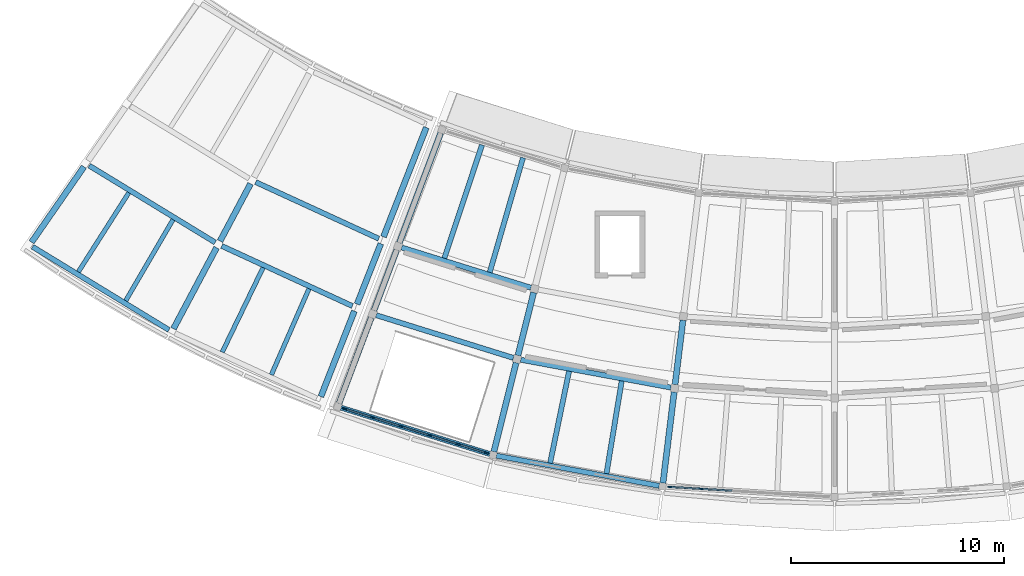
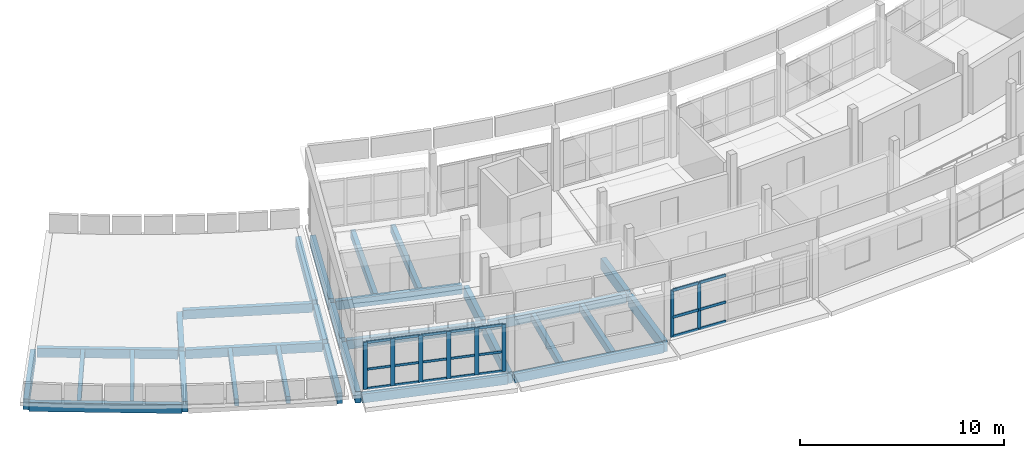
# One storey, part 2 of 12: 30 beams, 29 members, 2 elements without a shape of their own.
"""IFC4 building model written with IfcOpenShell, lengths in metres."""

from ifc_helpers import new_model, si_unit, direction, frame, origin, origin_2d, place, context, subcontext, project, spatial, rectangle, extrude, material, layer, layer_set, material_profile, profile_set, type_object, element, aggregate, save


model = new_model("IFC4")

# Units and contexts
model_context = context("Model", 3, precision=1e-05, world=origin(), true_north=direction((0.0, 1.0)))
body_context = subcontext(model_context, "Body", "Model", "MODEL_VIEW")
ifc_project = project(units=[si_unit("LENGTHUNIT", "METRE"), si_unit("AREAUNIT", "SQUARE_METRE"), si_unit("VOLUMEUNIT", "CUBIC_METRE"), si_unit("PLANEANGLEUNIT", "RADIAN"), si_unit("MASSUNIT", "GRAM", prefix="KILO")], contexts=[model_context])

# Site, building, storey
site_placement = place(None, origin())
site = spatial("IfcSite", under=ifc_project, at=site_placement, CompositionType="ELEMENT")
building_placement = place(site_placement, origin())
building = spatial("IfcBuilding", under=site, at=building_placement, Name="Caldaven Crescent School", CompositionType="ELEMENT")
storey_placement = place(building_placement, frame((0.0, 0.0, 19.3798828125)))
storey = spatial("IfcBuildingStorey", under=building, at=storey_placement, Name="L05", CompositionType="ELEMENT", Elevation=19.3798828125)

# Beams
ifc_material_1 = material(Name="Glulam MLE24h (GL28h)", Category="wood")
ifc_material_profile_1 = material_profile(ifc_material_1, rectangle(XDim=0.239990234375, YDim=0.5400390625, at=origin_2d()), Name="MLE 240x540")
ifc_profile_set_1 = profile_set([ifc_material_profile_1], Name="Glulam MLE24h (GL28h)")
beam_type_1 = type_object("IfcBeamType", Name="BM-GL54", PredefinedType="BEAM", material=ifc_profile_set_1)
beam_1_placement = place(storey_placement, frame((52.96728515625, 45.22265625, -0.47998046875), z_axis=(0.853702983474, -0.520760228903, 0.0), x_axis=(0.520760228903, 0.853702983474, 0.0)))
element("IfcBeam", 1, at=beam_1_placement, inside=storey, type_object=beam_type_1, Name="BMT-V4W-L05-1669", PredefinedType="BEAM", context=body_context, shape_type="SweptSolid", body=[
    extrude(rectangle(XDim=0.239990234375, YDim=0.5400390625, at=origin_2d()), origin(), (0.0, 0.0, 1.0), 6.930908203125),
])
beam_2_placement = place(storey_placement, frame((60.788818359375, 44.450927734375, -0.47998046875), z_axis=(0.908536446659, -0.417805606822, 0.0), x_axis=(0.417805606822, 0.908536446659, 0.0)))
element("IfcBeam", 2, at=beam_2_placement, inside=storey, type_object=beam_type_1, Name="BMT-V4W-L05-1676", PredefinedType="BEAM", context=body_context, shape_type="SweptSolid", body=[
    extrude(rectangle(XDim=0.239990234375, YDim=0.5400390625, at=origin_2d()), origin(), (0.0, 0.0, 1.0), 6.36767578125),
])
beam_3_placement = place(storey_placement, frame((59.192626953125, 41.448974609375, -0.47998046875), z_axis=(0.908529393476, -0.417820943935, 0.0), x_axis=(0.417820943935, 0.908529393476, 0.0)))
element("IfcBeam", 3, at=beam_3_placement, inside=storey, type_object=beam_type_1, Name="BMT-V4W-L05-1677", PredefinedType="BEAM", context=body_context, shape_type="SweptSolid", body=[
    extrude(rectangle(XDim=0.239990234375, YDim=0.5400390625, at=origin_2d()), origin(), (0.0, 0.0, 1.0), 6.759521484375),
])
beam_4_placement = place(storey_placement, frame((67.6494140625, 41.377685546875, -0.47998046875), z_axis=(0.954747711713, -0.297416890878, 0.0), x_axis=(0.297416890878, 0.954747711713, 0.0)))
element("IfcBeam", 4, at=beam_4_placement, inside=storey, type_object=beam_type_1, Name="BMT-V5-L05-1703", PredefinedType="BEAM", context=body_context, shape_type="SweptSolid", body=[
    extrude(rectangle(XDim=0.239990234375, YDim=0.5400390625, at=origin_2d()), origin(), (0.0, 0.0, 1.0), 6.367431640625),
])
beam_5_placement = place(storey_placement, frame((66.452880859375, 38.195068359375, -0.47998046875), z_axis=(0.954750161187, -0.297409027625, 0.0), x_axis=(0.297409027625, 0.954750161187, 0.0)))
element("IfcBeam", 5, at=beam_5_placement, inside=storey, type_object=beam_type_1, Name="BMT-V5-L05-1704", PredefinedType="BEAM", context=body_context, shape_type="SweptSolid", body=[
    extrude(rectangle(XDim=0.239990234375, YDim=0.5400390625, at=origin_2d()), origin(), (0.0, 0.0, 1.0), 6.75927734375),
])
beam_6_placement = place(storey_placement, frame((73.24560546875, 36.100830078125, -0.47998046875), z_axis=(0.983254046245, -0.182240172692, 0.0), x_axis=(0.182240172692, 0.983254046245, 0.0)))
element("IfcBeam", 6, at=beam_6_placement, inside=storey, type_object=beam_type_1, Name="BMT-V5-L05-1710", PredefinedType="BEAM", context=body_context, shape_type="SweptSolid", body=[
    extrude(rectangle(XDim=0.239990234375, YDim=0.5400390625, at=origin_2d()), origin(), (0.0, 0.0, 1.0), 7.183349609375),
])
ifc_material_profile_2 = material_profile(ifc_material_1, rectangle(XDim=0.280029296875, YDim=0.6298828125, at=origin_2d()), Name="MLE 280x630")
ifc_profile_set_2 = profile_set([ifc_material_profile_2], Name="Glulam MLE24h (GL28h)")
beam_type_2 = type_object("IfcBeamType", Name="BM-GL63", PredefinedType="BEAM", material=ifc_profile_set_2)
beam_7_placement = place(storey_placement, frame((52.718017578125, 45.169921875, -0.52490234375), z_axis=(-0.570218720639, -0.821492915753, 0.0), x_axis=(0.821492915753, -0.570218720639, 0.0)))
element("IfcBeam", 7, at=beam_7_placement, inside=storey, type_object=beam_type_2, Name="BMR-V4W-L05-1660", PredefinedType="BEAM", context=body_context, shape_type="SweptSolid", body=[
    extrude(rectangle(XDim=0.280029296875, YDim=0.6298828125, at=origin_2d()), origin(), (0.0, 0.0, 1.0), 4.31494140625),
])
beam_8_placement = place(storey_placement, frame((60.547607421875, 44.36962890625, -0.52490234375), z_axis=(-0.469486850199, -0.882939464227, 0.0), x_axis=(0.882939464227, -0.469486850199, 0.0)))
element("IfcBeam", 8, at=beam_8_placement, inside=storey, type_object=beam_type_2, Name="BMR-V4W-L05-1662", PredefinedType="BEAM", context=body_context, shape_type="SweptSolid", body=[
    extrude(rectangle(XDim=0.280029296875, YDim=0.6298828125, at=origin_2d()), origin(), (0.0, 0.0, 1.0), 3.0498046875),
])
beam_9_placement = place(storey_placement, frame((58.951416015625, 41.36767578125, -0.52490234375), z_axis=(-0.469433744078, -0.882967700384, 0.0), x_axis=(0.882967700384, -0.469433744078, 0.0)))
element("IfcBeam", 9, at=beam_9_placement, inside=storey, type_object=beam_type_2, Name="BMR-V4W-L05-1663", PredefinedType="BEAM", context=body_context, shape_type="SweptSolid", body=[
    extrude(rectangle(XDim=0.280029296875, YDim=0.6298828125, at=origin_2d()), origin(), (0.0, 0.0, 1.0), 4.31494140625),
])
beam_10_placement = place(storey_placement, frame((68.80859375, 47.015380859375, -0.52490234375), z_axis=(-0.364809913992, -0.931082019294, 0.0), x_axis=(0.931082019294, -0.364809913992, 0.0)))
element("IfcBeam", 10, at=beam_10_placement, inside=storey, type_object=beam_type_2, Name="BMR-V4W-L05-1664", PredefinedType="BEAM", context=body_context, shape_type="SweptSolid", body=[
    extrude(rectangle(XDim=0.280029296875, YDim=0.6298828125, at=origin_2d()), origin(), (0.0, 0.0, 1.0), 5.51513671875),
])
beam_11_placement = place(storey_placement, frame((66.6689453125, 41.554443359375, -0.52490234375), z_axis=(-0.364770550299, -0.931097441536, 0.0), x_axis=(0.931097441536, -0.364770550299, 0.0)))
element("IfcBeam", 11, at=beam_11_placement, inside=storey, type_object=beam_type_2, Name="BMR-V4W-L05-1665", PredefinedType="BEAM", context=body_context, shape_type="SweptSolid", body=[
    extrude(rectangle(XDim=0.280029296875, YDim=0.6298828125, at=origin_2d()), origin(), (0.0, 0.0, 1.0), 3.050048828125),
])
beam_12_placement = place(storey_placement, frame((65.4287109375, 38.388671875, -0.52490234375), z_axis=(-0.364776926423, -0.931094943574, 0.0), x_axis=(0.931094943574, -0.364776926423, 0.0)))
element("IfcBeam", 12, at=beam_12_placement, inside=storey, type_object=beam_type_2, Name="BMR-V4W-L05-1666", PredefinedType="BEAM", context=body_context, shape_type="SweptSolid", body=[
    extrude(rectangle(XDim=0.280029296875, YDim=0.6298828125, at=origin_2d()), origin(), (0.0, 0.0, 1.0), 4.31494140625),
])
ifc_material_profile_3 = material_profile(ifc_material_1, rectangle(XDim=0.280029296875, YDim=0.68994140625, at=origin_2d()), Name="MLE 280x690")
ifc_profile_set_3 = profile_set([ifc_material_profile_3], Name="Glulam MLE24h (GL28h)")
beam_type_3 = type_object("IfcBeamType", Name="BM-GL69", PredefinedType="BEAM", material=ifc_profile_set_3)
beam_13_placement = place(storey_placement, frame((69.48486328125, 46.755615234375, -0.554931640625), z_axis=(-0.351938342826, -0.936023184995, 0.0), x_axis=(0.936023184995, -0.351938342826, 0.0)))
element("IfcBeam", 13, at=beam_13_placement, inside=storey, type_object=beam_type_3, Name="BMR-V5-L05-1681", PredefinedType="BEAM", context=body_context, shape_type="SweptSolid", body=[
    extrude(rectangle(XDim=0.280029296875, YDim=0.68994140625, at=origin_2d()), origin(), (0.0, 0.0, 1.0), 5.514892578125),
])
beam_14_placement = place(storey_placement, frame((67.4208984375, 41.265869140625, -0.554931640625), z_axis=(-0.351974225459, -0.936009692585, 0.0), x_axis=(0.936009692585, -0.351974225459, 0.0)))
element("IfcBeam", 14, at=beam_14_placement, inside=storey, type_object=beam_type_3, Name="BMR-V5-L05-1682", PredefinedType="BEAM", context=body_context, shape_type="SweptSolid", body=[
    extrude(rectangle(XDim=0.280029296875, YDim=0.68994140625, at=origin_2d()), origin(), (0.0, 0.0, 1.0), 3.0498046875),
])
beam_15_placement = place(storey_placement, frame((66.22412109375, 38.08349609375, -0.554931640625), z_axis=(-0.351916961601, -0.936031223912, 0.0), x_axis=(0.936031223912, -0.351916961601, 0.0)))
element("IfcBeam", 15, at=beam_15_placement, inside=storey, type_object=beam_type_3, Name="BMR-V5-L05-1683", PredefinedType="BEAM", context=body_context, shape_type="SweptSolid", body=[
    extrude(rectangle(XDim=0.280029296875, YDim=0.68994140625, at=origin_2d()), origin(), (0.0, 0.0, 1.0), 4.315185546875),
])
beam_16_placement = place(storey_placement, frame((73.853515625, 39.261962890625, -0.554931640625), z_axis=(-0.241895214255, -0.970302378293, 0.0), x_axis=(0.970302378293, -0.241895214255, 0.0)))
element("IfcBeam", 16, at=beam_16_placement, inside=storey, type_object=beam_type_3, Name="BMR-V5-L05-1685", PredefinedType="BEAM", context=body_context, shape_type="SweptSolid", body=[
    extrude(rectangle(XDim=0.280029296875, YDim=0.68994140625, at=origin_2d()), origin(), (0.0, 0.0, 1.0), 3.050048828125),
])
beam_17_placement = place(storey_placement, frame((73.031005859375, 35.962890625, -0.554931640625), z_axis=(-0.241883226039, -0.970305366862, 0.0), x_axis=(0.970305366862, -0.241883226039, 0.0)))
element("IfcBeam", 17, at=beam_17_placement, inside=storey, type_object=beam_type_3, Name="BMR-V5-L05-1686", PredefinedType="BEAM", context=body_context, shape_type="SweptSolid", body=[
    extrude(rectangle(XDim=0.280029296875, YDim=0.68994140625, at=origin_2d()), origin(), (0.0, 0.0, 1.0), 4.31494140625),
])
beam_18_placement = place(storey_placement, frame((80.873779296875, 37.9609375, -0.554931640625), z_axis=(-0.121906519032, -0.992541586342, 0.0), x_axis=(0.992541586342, -0.121906519032, 0.0)))
element("IfcBeam", 18, at=beam_18_placement, inside=storey, type_object=beam_type_3, Name="BMR-V5-L05-1688", PredefinedType="BEAM", context=body_context, shape_type="SweptSolid", body=[
    extrude(rectangle(XDim=0.280029296875, YDim=0.68994140625, at=origin_2d()), origin(), (0.0, 0.0, 1.0), 3.050048828125),
])
beam_19_placement = place(storey_placement, frame((80.459228515625, 34.586181640625, -0.554931640625), z_axis=(-0.121875655073, -0.992545376646, 0.0), x_axis=(0.992545376646, -0.121875655073, 0.0)))
element("IfcBeam", 19, at=beam_19_placement, inside=storey, type_object=beam_type_3, Name="BMR-V5-L05-1689", PredefinedType="BEAM", context=body_context, shape_type="SweptSolid", body=[
    extrude(rectangle(XDim=0.280029296875, YDim=0.68994140625, at=origin_2d()), origin(), (0.0, 0.0, 1.0), 4.31494140625),
])

# Curtain wall, members
ifc_material_2 = material(Name="Anodised aluminium AA 6063-T6 and low-E double glazing", Category="aluminium")
ifc_layer_1 = layer(ifc_material_2, 0.2099609375)
ifc_layer_set_1 = layer_set([ifc_layer_1], Name="Anodised aluminium AA 6063-T6 and low-E double glazing")
curtain_wall_type_1 = type_object("IfcCurtainWallType", Name="CW-SYS3", PredefinedType="NOTDEFINED", material=ifc_layer_set_1)
curtain_wall_1_placement = place(storey_placement, origin())
curtain_wall_1 = element("IfcCurtainWall", 20, at=curtain_wall_1_placement, inside=storey, type_object=curtain_wall_type_1, Name="CW-L05-183", PredefinedType="NOTDEFINED")
ifc_material_3 = material(Name="Anodised aluminium AA 6063-T6", Category="aluminium")
ifc_material_profile_4 = material_profile(ifc_material_3, rectangle(XDim=0.06494140625, YDim=0.179931640625, at=origin_2d()), Name="CWM 65x180")
ifc_profile_set_4 = profile_set([ifc_material_profile_4], Name="Anodised aluminium AA 6063-T6")
member_type_1 = type_object("IfcMemberType", Name="CWM-T2", PredefinedType="MULLION", material=ifc_profile_set_4)
member_1_placement = place(storey_placement, frame((80.245849609375, 30.124267578125, 0.0), z_axis=(0.0, 0.0, 1.0), x_axis=(0.061049374755, 0.998134747337, 0.0)))
member_1 = element("IfcMember", 21, at=member_1_placement, type_object=member_type_1, Name="CW3 mullion 1", PredefinedType="MULLION", context=body_context, shape_type="SweptSolid", body=[
    extrude(rectangle(XDim=0.06494140625, YDim=0.179931640625, at=origin_2d()), origin(), (0.0, 0.0, 1.0), 2.820068359375),
])
member_2_placement = place(storey_placement, frame((81.7109375, 30.03466796875, 0.0), z_axis=(0.0, 0.0, 1.0), x_axis=(0.061049374755, 0.998134747337, 0.0)))
member_2 = element("IfcMember", 22, at=member_2_placement, type_object=member_type_1, Name="CW3 mullion 2", PredefinedType="MULLION", context=body_context, shape_type="SweptSolid", body=[
    extrude(rectangle(XDim=0.06494140625, YDim=0.179931640625, at=origin_2d()), origin(), (0.0, 0.0, 1.0), 2.820068359375),
])

ifc_layer_2 = layer(ifc_material_2, 0.169921875)
ifc_layer_set_2 = layer_set([ifc_layer_2], Name="Anodised aluminium AA 6063-T6 and low-E double glazing")
curtain_wall_type_2 = type_object("IfcCurtainWallType", Name="CW-SYS1", PredefinedType="NOTDEFINED", material=ifc_layer_set_2)
curtain_wall_2_placement = place(storey_placement, origin())
curtain_wall_2 = element("IfcCurtainWall", 23, at=curtain_wall_2_placement, inside=storey, type_object=curtain_wall_type_2, Name="CW-L05-180", PredefinedType="NOTDEFINED")
ifc_material_profile_5 = material_profile(ifc_material_3, rectangle(XDim=0.070068359375, YDim=0.2099609375, at=origin_2d()), Name="CWM 70x210")
ifc_profile_set_5 = profile_set([ifc_material_profile_5], Name="Anodised aluminium AA 6063-T6")
member_type_2 = type_object("IfcMemberType", Name="CWM-T3", PredefinedType="MULLION", material=ifc_profile_set_5)
member_3_placement = place(storey_placement, frame((64.96923828125, 33.795166015625, 0.0), z_axis=(0.0, 0.0, 1.0), x_axis=(0.29741937885, 0.954746936672, 0.0)))
member_3 = element("IfcMember", 24, at=member_3_placement, type_object=member_type_2, Name="CW1 mullion 1", PredefinedType="MULLION", context=body_context, shape_type="SweptSolid", body=[
    extrude(rectangle(XDim=0.070068359375, YDim=0.2099609375, at=origin_2d()), origin(), (0.0, 0.0, 1.0), 2.820068359375),
])
member_4_placement = place(storey_placement, frame((66.281005859375, 33.386474609375, 0.0), z_axis=(0.0, 0.0, 1.0), x_axis=(0.29741937885, 0.954746936672, 0.0)))
member_4 = element("IfcMember", 25, at=member_4_placement, type_object=member_type_2, Name="CW1 mullion 2", PredefinedType="MULLION", context=body_context, shape_type="SweptSolid", body=[
    extrude(rectangle(XDim=0.070068359375, YDim=0.2099609375, at=origin_2d()), origin(), (0.0, 0.0, 1.0), 2.820068359375),
])
member_5_placement = place(storey_placement, frame((67.626220703125, 32.96728515625, 0.0), z_axis=(0.0, 0.0, 1.0), x_axis=(0.29741937885, 0.954746936672, 0.0)))
member_5 = element("IfcMember", 26, at=member_5_placement, type_object=member_type_2, Name="CW1 mullion 3", PredefinedType="MULLION", context=body_context, shape_type="SweptSolid", body=[
    extrude(rectangle(XDim=0.070068359375, YDim=0.2099609375, at=origin_2d()), origin(), (0.0, 0.0, 1.0), 2.820068359375),
])
member_6_placement = place(storey_placement, frame((68.971435546875, 32.54833984375, 0.0), z_axis=(0.0, 0.0, 1.0), x_axis=(0.29741937885, 0.954746936672, 0.0)))
member_6 = element("IfcMember", 27, at=member_6_placement, type_object=member_type_2, Name="CW1 mullion 4", PredefinedType="MULLION", context=body_context, shape_type="SweptSolid", body=[
    extrude(rectangle(XDim=0.070068359375, YDim=0.2099609375, at=origin_2d()), origin(), (0.0, 0.0, 1.0), 2.820068359375),
])
member_7_placement = place(storey_placement, frame((70.31689453125, 32.129150390625, 0.0), z_axis=(0.0, 0.0, 1.0), x_axis=(0.29741937885, 0.954746936672, 0.0)))
member_7 = element("IfcMember", 28, at=member_7_placement, type_object=member_type_2, Name="CW1 mullion 5", PredefinedType="MULLION", context=body_context, shape_type="SweptSolid", body=[
    extrude(rectangle(XDim=0.070068359375, YDim=0.2099609375, at=origin_2d()), origin(), (0.0, 0.0, 1.0), 2.820068359375),
])
member_8_placement = place(storey_placement, frame((71.628662109375, 31.720458984375, 0.0), z_axis=(0.0, 0.0, 1.0), x_axis=(0.29741937885, 0.954746936672, 0.0)))
member_8 = element("IfcMember", 29, at=member_8_placement, type_object=member_type_2, Name="CW1 mullion 6", PredefinedType="MULLION", context=body_context, shape_type="SweptSolid", body=[
    extrude(rectangle(XDim=0.070068359375, YDim=0.2099609375, at=origin_2d()), origin(), (0.0, 0.0, 1.0), 2.820068359375),
])
ifc_material_profile_6 = material_profile(ifc_material_3, rectangle(XDim=0.06494140625, YDim=0.139892578125, at=origin_2d()), Name="CWT 65x140")
ifc_profile_set_6 = profile_set([ifc_material_profile_6], Name="Anodised aluminium AA 6063-T6")
member_type_3 = type_object("IfcMemberType", Name="CWT-T2", PredefinedType="USERDEFINED", material=ifc_profile_set_6)
member_9_placement = place(storey_placement, frame((65.002685546875, 33.78466796875, 0.03271484375), z_axis=(0.954716221559, -0.297517959611, 0.0), x_axis=(0.297517959611, 0.954716221559, 0.0)))
member_9 = element("IfcMember", 30, at=member_9_placement, type_object=member_type_3, Name="CW1 transom 1.1", ObjectType="TRANSOM", PredefinedType="USERDEFINED", context=body_context, shape_type="SweptSolid", body=[
    extrude(rectangle(XDim=0.06494140625, YDim=0.139892578125, at=origin_2d()), origin(), (0.0, 0.0, 1.0), 1.303955078125),
])
member_10_placement = place(storey_placement, frame((65.002685546875, 33.78466796875, 1.18408203125), z_axis=(0.954716221559, -0.297517959611, 0.0), x_axis=(0.297517959611, 0.954716221559, 0.0)))
member_10 = element("IfcMember", 31, at=member_10_placement, type_object=member_type_3, Name="CW1 transom 1.2", ObjectType="TRANSOM", PredefinedType="USERDEFINED", context=body_context, shape_type="SweptSolid", body=[
    extrude(rectangle(XDim=0.06494140625, YDim=0.139892578125, at=origin_2d()), origin(), (0.0, 0.0, 1.0), 1.303955078125),
])
member_11_placement = place(storey_placement, frame((65.002685546875, 33.78466796875, 2.78759765625), z_axis=(0.954716221559, -0.297517959611, 0.0), x_axis=(0.297517959611, 0.954716221559, 0.0)))
member_11 = element("IfcMember", 32, at=member_11_placement, type_object=member_type_3, Name="CW1 transom 1.3", ObjectType="TRANSOM", PredefinedType="USERDEFINED", context=body_context, shape_type="SweptSolid", body=[
    extrude(rectangle(XDim=0.06494140625, YDim=0.139892578125, at=origin_2d()), origin(), (0.0, 0.0, 1.0), 1.303955078125),
])
member_12_placement = place(storey_placement, frame((66.314453125, 33.3759765625, 0.03271484375), z_axis=(0.954752121918, -0.297402733164, 0.0), x_axis=(0.297402733164, 0.954752121918, 0.0)))
member_12 = element("IfcMember", 33, at=member_12_placement, type_object=member_type_3, Name="CW1 transom 2.1", ObjectType="TRANSOM", PredefinedType="USERDEFINED", context=body_context, shape_type="SweptSolid", body=[
    extrude(rectangle(XDim=0.06494140625, YDim=0.139892578125, at=origin_2d()), origin(), (0.0, 0.0, 1.0), 1.3388671875),
])
member_13_placement = place(storey_placement, frame((66.314453125, 33.3759765625, 1.18408203125), z_axis=(0.954752121918, -0.297402733164, 0.0), x_axis=(0.297402733164, 0.954752121918, 0.0)))
member_13 = element("IfcMember", 34, at=member_13_placement, type_object=member_type_3, Name="CW1 transom 2.2", ObjectType="TRANSOM", PredefinedType="USERDEFINED", context=body_context, shape_type="SweptSolid", body=[
    extrude(rectangle(XDim=0.06494140625, YDim=0.139892578125, at=origin_2d()), origin(), (0.0, 0.0, 1.0), 1.3388671875),
])
member_14_placement = place(storey_placement, frame((66.314453125, 33.3759765625, 2.78759765625), z_axis=(0.954752121918, -0.297402733164, 0.0), x_axis=(0.297402733164, 0.954752121918, 0.0)))
member_14 = element("IfcMember", 35, at=member_14_placement, type_object=member_type_3, Name="CW1 transom 2.3", ObjectType="TRANSOM", PredefinedType="USERDEFINED", context=body_context, shape_type="SweptSolid", body=[
    extrude(rectangle(XDim=0.06494140625, YDim=0.139892578125, at=origin_2d()), origin(), (0.0, 0.0, 1.0), 1.3388671875),
])
member_15_placement = place(storey_placement, frame((67.65966796875, 32.95703125, 0.03271484375), z_axis=(0.954716475443, -0.297517144915, 0.0), x_axis=(0.297517144915, 0.954716475443, 0.0)))
member_15 = element("IfcMember", 36, at=member_15_placement, type_object=member_type_3, Name="CW1 transom 3.1", ObjectType="TRANSOM", PredefinedType="USERDEFINED", context=body_context, shape_type="SweptSolid", body=[
    extrude(rectangle(XDim=0.06494140625, YDim=0.139892578125, at=origin_2d()), origin(), (0.0, 0.0, 1.0), 1.339111328125),
])
member_16_placement = place(storey_placement, frame((67.65966796875, 32.95703125, 1.18408203125), z_axis=(0.954716475443, -0.297517144915, 0.0), x_axis=(0.297517144915, 0.954716475443, 0.0)))
member_16 = element("IfcMember", 37, at=member_16_placement, type_object=member_type_3, Name="CW1 transom 3.2", ObjectType="TRANSOM", PredefinedType="USERDEFINED", context=body_context, shape_type="SweptSolid", body=[
    extrude(rectangle(XDim=0.06494140625, YDim=0.139892578125, at=origin_2d()), origin(), (0.0, 0.0, 1.0), 1.339111328125),
])
member_17_placement = place(storey_placement, frame((67.65966796875, 32.95703125, 2.78759765625), z_axis=(0.954716475443, -0.297517144915, 0.0), x_axis=(0.297517144915, 0.954716475443, 0.0)))
member_17 = element("IfcMember", 38, at=member_17_placement, type_object=member_type_3, Name="CW1 transom 3.3", ObjectType="TRANSOM", PredefinedType="USERDEFINED", context=body_context, shape_type="SweptSolid", body=[
    extrude(rectangle(XDim=0.06494140625, YDim=0.139892578125, at=origin_2d()), origin(), (0.0, 0.0, 1.0), 1.339111328125),
])
member_18_placement = place(storey_placement, frame((69.0048828125, 32.537841796875, 0.03271484375), z_axis=(0.954768245722, -0.297350965968, 0.0), x_axis=(0.297350965968, 0.954768245722, 0.0)))
member_18 = element("IfcMember", 39, at=member_18_placement, type_object=member_type_3, Name="CW1 transom 4.1", ObjectType="TRANSOM", PredefinedType="USERDEFINED", context=body_context, shape_type="SweptSolid", body=[
    extrude(rectangle(XDim=0.06494140625, YDim=0.139892578125, at=origin_2d()), origin(), (0.0, 0.0, 1.0), 1.339111328125),
])
member_19_placement = place(storey_placement, frame((69.0048828125, 32.537841796875, 1.18408203125), z_axis=(0.954768245722, -0.297350965968, 0.0), x_axis=(0.297350965968, 0.954768245722, 0.0)))
member_19 = element("IfcMember", 40, at=member_19_placement, type_object=member_type_3, Name="CW1 transom 4.2", ObjectType="TRANSOM", PredefinedType="USERDEFINED", context=body_context, shape_type="SweptSolid", body=[
    extrude(rectangle(XDim=0.06494140625, YDim=0.139892578125, at=origin_2d()), origin(), (0.0, 0.0, 1.0), 1.339111328125),
])
member_20_placement = place(storey_placement, frame((69.0048828125, 32.537841796875, 2.78759765625), z_axis=(0.954768245722, -0.297350965968, 0.0), x_axis=(0.297350965968, 0.954768245722, 0.0)))
member_20 = element("IfcMember", 41, at=member_20_placement, type_object=member_type_3, Name="CW1 transom 4.3", ObjectType="TRANSOM", PredefinedType="USERDEFINED", context=body_context, shape_type="SweptSolid", body=[
    extrude(rectangle(XDim=0.06494140625, YDim=0.139892578125, at=origin_2d()), origin(), (0.0, 0.0, 1.0), 1.339111328125),
])
member_21_placement = place(storey_placement, frame((70.35009765625, 32.11865234375, 0.03271484375), z_axis=(0.954785943777, -0.297294133082, 0.0), x_axis=(0.297294133082, 0.954785943777, 0.0)))
member_21 = element("IfcMember", 42, at=member_21_placement, type_object=member_type_3, Name="CW1 transom 5.1", ObjectType="TRANSOM", PredefinedType="USERDEFINED", context=body_context, shape_type="SweptSolid", body=[
    extrude(rectangle(XDim=0.06494140625, YDim=0.139892578125, at=origin_2d()), origin(), (0.0, 0.0, 1.0), 1.30419921875),
])
member_22_placement = place(storey_placement, frame((70.35009765625, 32.11865234375, 1.18408203125), z_axis=(0.954785943777, -0.297294133082, 0.0), x_axis=(0.297294133082, 0.954785943777, 0.0)))
member_22 = element("IfcMember", 43, at=member_22_placement, type_object=member_type_3, Name="CW1 transom 5.2", ObjectType="TRANSOM", PredefinedType="USERDEFINED", context=body_context, shape_type="SweptSolid", body=[
    extrude(rectangle(XDim=0.06494140625, YDim=0.139892578125, at=origin_2d()), origin(), (0.0, 0.0, 1.0), 1.30419921875),
])
member_23_placement = place(storey_placement, frame((70.35009765625, 32.11865234375, 2.78759765625), z_axis=(0.954785943777, -0.297294133082, 0.0), x_axis=(0.297294133082, 0.954785943777, 0.0)))
member_23 = element("IfcMember", 44, at=member_23_placement, type_object=member_type_3, Name="CW1 transom 5.3", ObjectType="TRANSOM", PredefinedType="USERDEFINED", context=body_context, shape_type="SweptSolid", body=[
    extrude(rectangle(XDim=0.06494140625, YDim=0.139892578125, at=origin_2d()), origin(), (0.0, 0.0, 1.0), 1.30419921875),
])
aggregate(curtain_wall_2, [member_3, member_4, member_5, member_6, member_7, member_8, member_9, member_10, member_11, member_12, member_13, member_14, member_15, member_16, member_17, member_18, member_19, member_20, member_21, member_22, member_23])

# Member
ifc_material_profile_7 = material_profile(ifc_material_3, rectangle(XDim=0.070068359375, YDim=0.159912109375, at=origin_2d()), Name="CWT 70x160")
ifc_profile_set_7 = profile_set([ifc_material_profile_7], Name="Anodised aluminium AA 6063-T6")
member_type_4 = type_object("IfcMemberType", Name="CWT-T3", PredefinedType="USERDEFINED", material=ifc_profile_set_7)
member_24_placement = place(storey_placement, frame((80.2783203125, 30.122314453125, 0.03515625), z_axis=(0.99813233324, -0.061088831555, 0.0), x_axis=(0.061088831555, 0.99813233324, 0.0)))
member_24 = element("IfcMember", 45, at=member_24_placement, type_object=member_type_4, Name="CW3 transom 1.1", ObjectType="TRANSOM", PredefinedType="USERDEFINED", context=body_context, shape_type="SweptSolid", body=[
    extrude(rectangle(XDim=0.070068359375, YDim=0.159912109375, at=origin_2d()), origin(), (0.0, 0.0, 1.0), 1.40283203125),
])

member_25_placement = place(storey_placement, frame((80.2783203125, 30.122314453125, 1.18408203125), z_axis=(0.99813233324, -0.061088831555, 0.0), x_axis=(0.061088831555, 0.99813233324, 0.0)))
member_25 = element("IfcMember", 46, at=member_25_placement, type_object=member_type_4, Name="CW3 transom 1.2", ObjectType="TRANSOM", PredefinedType="USERDEFINED", context=body_context, shape_type="SweptSolid", body=[
    extrude(rectangle(XDim=0.070068359375, YDim=0.159912109375, at=origin_2d()), origin(), (0.0, 0.0, 1.0), 1.40283203125),
])

member_26_placement = place(storey_placement, frame((80.2783203125, 30.122314453125, 2.78515625), z_axis=(0.99813233324, -0.061088831555, 0.0), x_axis=(0.061088831555, 0.99813233324, 0.0)))
member_26 = element("IfcMember", 47, at=member_26_placement, type_object=member_type_4, Name="CW3 transom 1.3", ObjectType="TRANSOM", PredefinedType="USERDEFINED", context=body_context, shape_type="SweptSolid", body=[
    extrude(rectangle(XDim=0.070068359375, YDim=0.159912109375, at=origin_2d()), origin(), (0.0, 0.0, 1.0), 1.40283203125),
])

member_27_placement = place(storey_placement, frame((81.7431640625, 30.03271484375, 0.03515625), z_axis=(0.998133785172, -0.061065103762, 0.0), x_axis=(0.061065103762, 0.998133785172, 0.0)))
member_27 = element("IfcMember", 48, at=member_27_placement, type_object=member_type_4, Name="CW3 transom 2.1", ObjectType="TRANSOM", PredefinedType="USERDEFINED", context=body_context, shape_type="SweptSolid", body=[
    extrude(rectangle(XDim=0.070068359375, YDim=0.159912109375, at=origin_2d()), origin(), (0.0, 0.0, 1.0), 1.435302734375),
])

member_28_placement = place(storey_placement, frame((81.7431640625, 30.03271484375, 1.18408203125), z_axis=(0.998133785172, -0.061065103762, 0.0), x_axis=(0.061065103762, 0.998133785172, 0.0)))
member_28 = element("IfcMember", 49, at=member_28_placement, type_object=member_type_4, Name="CW3 transom 2.2", ObjectType="TRANSOM", PredefinedType="USERDEFINED", context=body_context, shape_type="SweptSolid", body=[
    extrude(rectangle(XDim=0.070068359375, YDim=0.159912109375, at=origin_2d()), origin(), (0.0, 0.0, 1.0), 1.435302734375),
])

member_29_placement = place(storey_placement, frame((81.7431640625, 30.03271484375, 2.78515625), z_axis=(0.998133785172, -0.061065103762, 0.0), x_axis=(0.061065103762, 0.998133785172, 0.0)))
member_29 = element("IfcMember", 50, at=member_29_placement, type_object=member_type_4, Name="CW3 transom 2.3", ObjectType="TRANSOM", PredefinedType="USERDEFINED", context=body_context, shape_type="SweptSolid", body=[
    extrude(rectangle(XDim=0.070068359375, YDim=0.159912109375, at=origin_2d()), origin(), (0.0, 0.0, 1.0), 1.435302734375),
])

aggregate(curtain_wall_1, [member_1, member_2, member_24, member_25, member_26, member_27, member_28, member_29])

# Beams
ifc_material_profile_8 = material_profile(ifc_material_1, rectangle(XDim=0.2099609375, YDim=0.419921875, at=origin_2d()), Name="MLE 210x420")
ifc_profile_set_8 = profile_set([ifc_material_profile_8], Name="Glulam MLE24h (GL28h)")
beam_type_4 = type_object("IfcBeamType", Name="JS-GL42", PredefinedType="JOIST", material=ifc_profile_set_8)
beam_20_placement = place(storey_placement, frame((54.827880859375, 43.952880859375, -0.419921875), z_axis=(-0.53744816743, -0.843296784843, 0.0), x_axis=(0.843296784843, -0.53744816743, 0.0)))
element("IfcBeam", 51, at=beam_20_placement, inside=storey, type_object=beam_type_4, Name="JSR-V4W-L05-1672", PredefinedType="JOIST", context=body_context, shape_type="SweptSolid", body=[
    extrude(rectangle(XDim=0.2099609375, YDim=0.419921875, at=origin_2d()), origin(), (0.0, 0.0, 1.0), 4.41259765625),
])
beam_21_placement = place(storey_placement, frame((56.90380859375, 42.686767578125, -0.419921875), z_axis=(-0.503822868286, -0.863806990822, 0.0), x_axis=(0.863806990822, -0.503822868286, 0.0)))
element("IfcBeam", 52, at=beam_21_placement, inside=storey, type_object=beam_type_4, Name="JSR-V4W-L05-1674", PredefinedType="JOIST", context=body_context, shape_type="SweptSolid", body=[
    extrude(rectangle(XDim=0.2099609375, YDim=0.419921875, at=origin_2d()), origin(), (0.0, 0.0, 1.0), 4.4130859375),
])
beam_22_placement = place(storey_placement, frame((61.136474609375, 40.428466796875, -0.419921875), z_axis=(-0.435202293191, -0.900332696286, 0.0), x_axis=(0.900332696286, -0.435202293191, 0.0)))
element("IfcBeam", 53, at=beam_22_placement, inside=storey, type_object=beam_type_4, Name="JSR-V4W-L05-1679", PredefinedType="JOIST", context=body_context, shape_type="SweptSolid", body=[
    extrude(rectangle(XDim=0.2099609375, YDim=0.419921875, at=origin_2d()), origin(), (0.0, 0.0, 1.0), 4.413330078125),
])
beam_23_placement = place(storey_placement, frame((63.293701171875, 39.4365234375, -0.419921875), z_axis=(-0.400299300813, -0.91638445522, 0.0), x_axis=(0.91638445522, -0.400299300813, 0.0)))
element("IfcBeam", 54, at=beam_23_placement, inside=storey, type_object=beam_type_4, Name="JSR-V4W-L05-1680", PredefinedType="JOIST", context=body_context, shape_type="SweptSolid", body=[
    extrude(rectangle(XDim=0.2099609375, YDim=0.419921875, at=origin_2d()), origin(), (0.0, 0.0, 1.0), 4.4130859375),
])
ifc_material_profile_9 = material_profile(ifc_material_1, rectangle(XDim=0.239990234375, YDim=0.47998046875, at=origin_2d()), Name="MLE 240x480")
ifc_profile_set_9 = profile_set([ifc_material_profile_9], Name="Glulam MLE24h (GL28h)")
beam_type_5 = type_object("IfcBeamType", Name="JS-GL48", PredefinedType="JOIST", material=ifc_profile_set_9)
beam_24_placement = place(storey_placement, frame((71.42822265625, 46.197265625, -0.449951171875), z_axis=(-0.315731740735, -0.948848495753, 0.0), x_axis=(0.948848495753, -0.315731740735, 0.0)))
element("IfcBeam", 55, at=beam_24_placement, inside=storey, type_object=beam_type_5, Name="JSR-V5-L05-1706", PredefinedType="JOIST", context=body_context, shape_type="SweptSolid", body=[
    extrude(rectangle(XDim=0.239990234375, YDim=0.47998046875, at=origin_2d()), origin(), (0.0, 0.0, 1.0), 5.611572265625),
])
beam_25_placement = place(storey_placement, frame((73.355712890625, 45.5966796875, -0.449951171875), z_axis=(-0.278982349026, -0.960296229781, 0.0), x_axis=(0.960296229781, -0.278982349026, 0.0)))
element("IfcBeam", 56, at=beam_25_placement, inside=storey, type_object=beam_type_5, Name="JSR-V5-L05-1707", PredefinedType="JOIST", context=body_context, shape_type="SweptSolid", body=[
    extrude(rectangle(XDim=0.239990234375, YDim=0.47998046875, at=origin_2d()), origin(), (0.0, 0.0, 1.0), 5.611328125),
])
for number, where, z_axis, x_axis, name in (
    (57, (75.519287109375, 35.5625, -0.449951171875), (-0.202241478585, -0.979335685217, 0.0), (0.979335685217, -0.202241478585, 0.0), "JSR-V5-L05-1712"),
    (58, (77.992919921875, 35.10400390625, -0.449951171875), (-0.162182244648, -0.986760821841, 0.0), (0.986760821841, -0.162182244648, 0.0), "JSR-V5-L05-1713"),
):
    element("IfcBeam", number, at=place(storey_placement, frame(where, z_axis=z_axis, x_axis=x_axis)), inside=storey, type_object=beam_type_5, Name=name, PredefinedType="JOIST", context=body_context, shape_type="SweptSolid", body=[
        extrude(rectangle(XDim=0.239990234375, YDim=0.47998046875, at=origin_2d()), origin(), (0.0, 0.0, 1.0), 4.412109375),
    ])
ifc_material_profile_10 = material_profile(ifc_material_1, rectangle(XDim=0.239990234375, YDim=0.5400390625, at=origin_2d()), Name="MLE 240x540")
ifc_profile_set_10 = profile_set([ifc_material_profile_10], Name="Glulam MLE24h (GL28h)")
beam_type_6 = type_object("IfcBeamType", Name="SP-GL54", PredefinedType="SPANDREL", material=ifc_profile_set_10)
beam_26_placement = place(storey_placement, frame((50.302978515625, 41.410400390625, -0.47998046875), z_axis=(0.853703465337, -0.520759438965, 0.0), x_axis=(0.520759438965, 0.853703465337, 0.0)))
element("IfcBeam", 59, at=beam_26_placement, inside=storey, type_object=beam_type_6, Name="BMT-V4W-L05-1670", PredefinedType="SPANDREL", context=body_context, shape_type="SweptSolid", body=[
    extrude(rectangle(XDim=0.239990234375, YDim=0.5400390625, at=origin_2d()), origin(), (0.0, 0.0, 1.0), 7.509521484375),
])
beam_27_placement = place(storey_placement, frame((64.802001953125, 33.84716796875, -0.47998046875), z_axis=(0.954744100243, -0.297428483927, 0.0), x_axis=(0.297428483927, 0.954744100243, 0.0)))
element("IfcBeam", 60, at=beam_27_placement, inside=storey, type_object=beam_type_6, Name="BMT-V5-L05-1705", PredefinedType="SPANDREL", context=body_context, shape_type="SweptSolid", body=[
    extrude(rectangle(XDim=0.239990234375, YDim=0.5400390625, at=origin_2d()), origin(), (0.0, 0.0, 1.0), 7.3251953125),
])
beam_28_placement = place(storey_placement, frame((72.105712890625, 31.591796875, -0.47998046875), z_axis=(0.983255778914, -0.182230824045, 0.0), x_axis=(0.182230824045, 0.983255778914, 0.0)))
element("IfcBeam", 61, at=beam_28_placement, inside=storey, type_object=beam_type_6, Name="BMT-V5-L05-1711", PredefinedType="SPANDREL", context=body_context, shape_type="SweptSolid", body=[
    extrude(rectangle(XDim=0.239990234375, YDim=0.5400390625, at=origin_2d()), origin(), (0.0, 0.0, 1.0), 7.78125),
])

save(model, "model.ifc")
